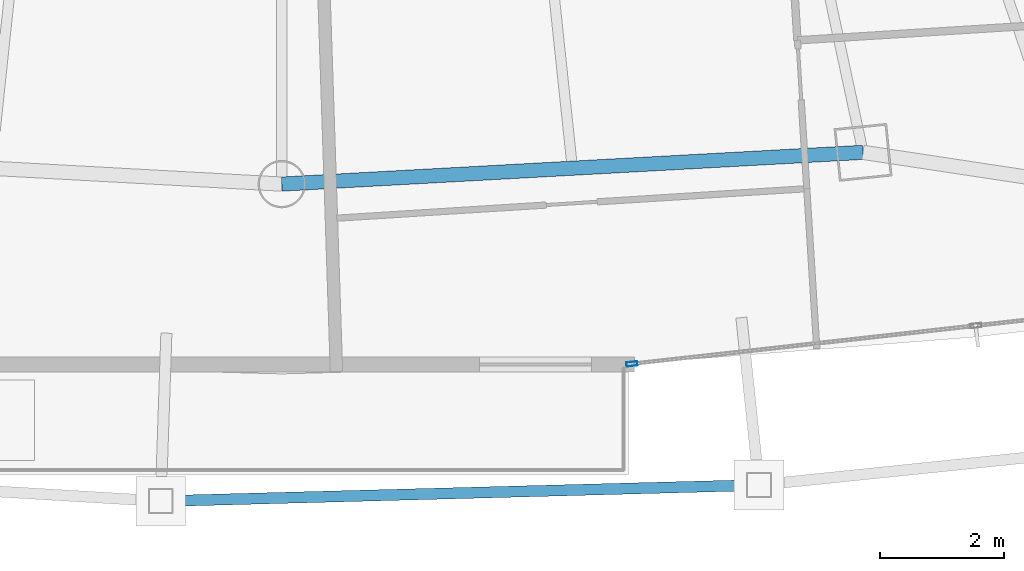
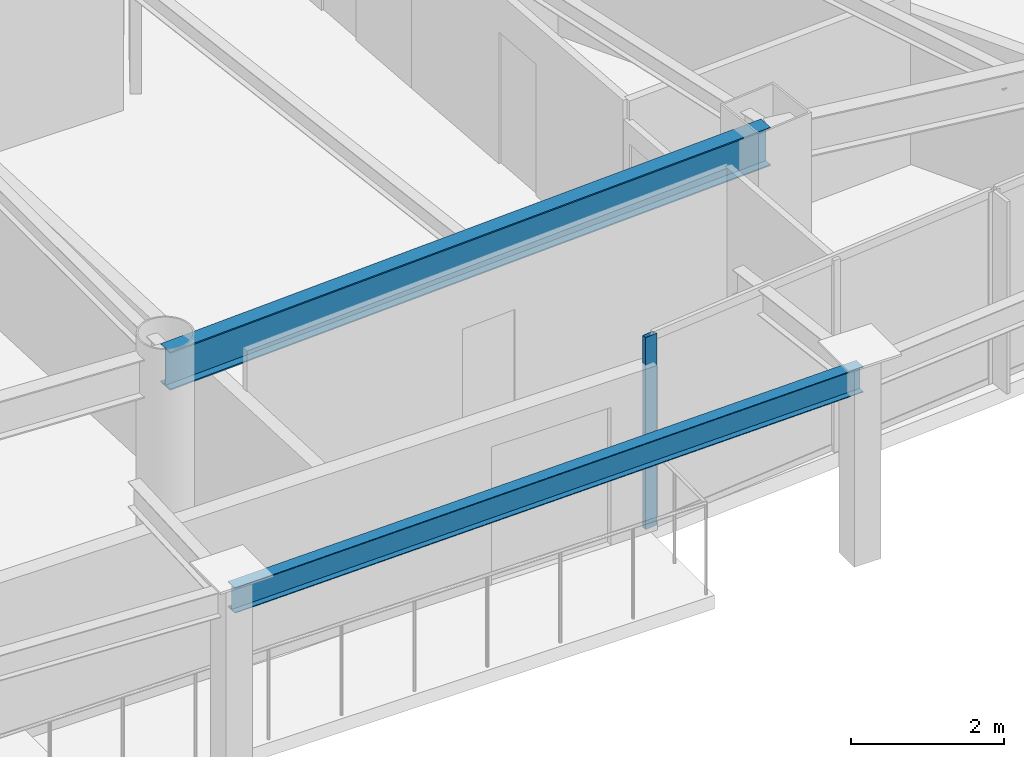
# One storey, part 8 of 29: 2 beams, 1 member, 1 element without a shape of its own.
"""IFC4 building model written with IfcOpenShell, lengths in metres."""

from ifc_helpers import new_model, si_unit, direction, frame, origin, origin_2d, place, context, subcontext, project, spatial, hollow_rectangle, i_section, extrude, material, layer, layer_set, material_profile, profile_set, type_object, element, aggregate, save


model = new_model("IFC4")

# Units and contexts
model_context = context("Model", 3, precision=1e-05, world=origin(), true_north=direction((0.0, 1.0)))
body_context = subcontext(model_context, "Body", "Model", "MODEL_VIEW")
ifc_project = project(units=[si_unit("LENGTHUNIT", "METRE"), si_unit("AREAUNIT", "SQUARE_METRE"), si_unit("VOLUMEUNIT", "CUBIC_METRE"), si_unit("PLANEANGLEUNIT", "RADIAN"), si_unit("MASSUNIT", "GRAM", prefix="KILO")], contexts=[model_context])

# Site, building, storey
site_placement = place(None, origin())
site = spatial("IfcSite", under=ifc_project, at=site_placement, CompositionType="ELEMENT")
building_placement = place(site_placement, origin())
building = spatial("IfcBuilding", under=site, at=building_placement, Name="Orvanel Arch Residences", CompositionType="ELEMENT")
storey_placement = place(building_placement, frame((0.0, 0.0, 177.050048828125)))
storey = spatial("IfcBuildingStorey", under=building, at=storey_placement, Name="L50", CompositionType="ELEMENT", Elevation=177.050048828125)

# Curtain wall, member
ifc_material_1 = material(Name="Bronze-anodised aluminium AA6063-T6", Category="aluminium")
ifc_layer = layer(ifc_material_1, 0.179931640625)
ifc_layer_set = layer_set([ifc_layer], Name="Bronze-anodised aluminium AA6063-T6")
curtain_wall_type = type_object("IfcCurtainWallType", Name="CW3-MID-SYS", PredefinedType="NOTDEFINED", material=ifc_layer_set)
curtain_wall_placement = place(storey_placement, origin())
curtain_wall = element("IfcCurtainWall", 1, at=curtain_wall_placement, inside=storey, type_object=curtain_wall_type, Name="L50 CW3-MID-SYS Unitised Curtain Wall", PredefinedType="NOTDEFINED")
ifc_material_profile_1 = material_profile(ifc_material_1, hollow_rectangle(XDim=0.070068359375, YDim=0.179931640625, WallThickness=0.00439453125, at=origin_2d()), Name="ALU180x70x4.5")
ifc_profile_set_1 = profile_set([ifc_material_profile_1], Name="Bronze-anodised aluminium AA6063-T6")
member_type = type_object("IfcMemberType", Name="MUL-180x70", PredefinedType="MULLION", material=ifc_profile_set_1)
member_placement = place(storey_placement, frame((38.6328125, 3.950927734375, 0.0), z_axis=(0.0, 0.0, 1.0), x_axis=(-0.110836581045, 0.993838645003, 0.0)))
member = element("IfcMember", 2, at=member_placement, type_object=member_type, Name="CW-S3 mullion 1", PredefinedType="MULLION", context=body_context, shape_type="SweptSolid", body=[
    extrude(hollow_rectangle(XDim=0.070068359375, YDim=0.179931640625, WallThickness=0.00439453125, at=origin_2d()), origin(), (0.0, 0.0, 1.0), 3.06005859375),
])
aggregate(curtain_wall, [member])

# Beams
ifc_material_2 = material(Name="Structural steel AS/NZS 3679.1 Grade 300 (300 MPa)", Category="steel")
ifc_material_profile_2 = material_profile(ifc_material_2, i_section(OverallWidth=0.177978515625, OverallDepth=0.406005859375, WebThickness=0.0078125, FlangeThickness=0.0126953125, at=origin_2d()), Name="410UB59.7")
ifc_profile_set_2 = profile_set([ifc_material_profile_2], Name="Structural steel AS/NZS 3679.1 Grade 300 (300 MPa)")
beam_type_1 = type_object("IfcBeamType", Name="OB-410UB-EXT", PredefinedType="SPANDREL", material=ifc_profile_set_2)
beam_1_placement = place(storey_placement, frame((31.052978515625, 1.743896484375, 2.85693359375), z_axis=(0.999638054182, 0.026902799703, 0.0), x_axis=(-0.026902799703, 0.999638054182, 0.0)))
element("IfcBeam", 3, at=beam_1_placement, inside=storey, type_object=beam_type_1, Name="L50 Outer Perimeter Floor Ring Beam 06", PredefinedType="SPANDREL", context=body_context, shape_type="SweptSolid", body=[
    extrude(i_section(OverallWidth=0.177978515625, OverallDepth=0.406005859375, WebThickness=0.0078125, FlangeThickness=0.0126953125, at=origin_2d()), origin(), (0.0, 0.0, 1.0), 9.62841796875),
])
ifc_material_profile_3 = material_profile(ifc_material_2, i_section(OverallWidth=0.22900390625, OverallDepth=0.612060546875, WebThickness=0.011962890625, FlangeThickness=0.01953125, at=origin_2d()), Name="610UB125")
ifc_profile_set_3 = profile_set([ifc_material_profile_3], Name="Structural steel AS/NZS 3679.1 Grade 300 (300 MPa)")
beam_type_2 = type_object("IfcBeamType", Name="SP-610UB", PredefinedType="SPANDREL", material=ifc_profile_set_3)
beam_2_placement = place(storey_placement, frame((33.0, 6.843994140625, 2.75390625), z_axis=(0.998510315598, 0.054563262768, 0.0), x_axis=(-0.054563262768, 0.998510315598, 0.0)))
element("IfcBeam", 4, at=beam_2_placement, inside=storey, type_object=beam_type_2, Name="L50 Perimeter Spandrel Beam 06", PredefinedType="SPANDREL", context=body_context, shape_type="SweptSolid", body=[
    extrude(i_section(OverallWidth=0.22900390625, OverallDepth=0.612060546875, WebThickness=0.011962890625, FlangeThickness=0.01953125, at=origin_2d()), origin(), (0.0, 0.0, 1.0), 9.364990234375),
])

save(model, "model.ifc")
